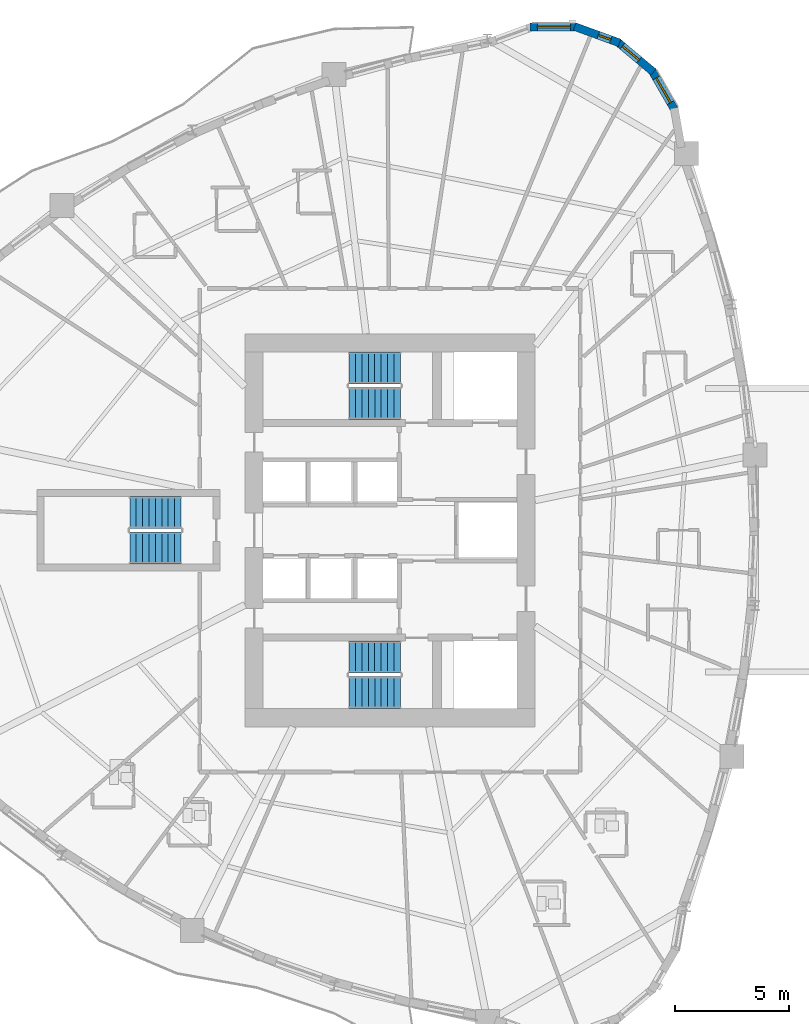
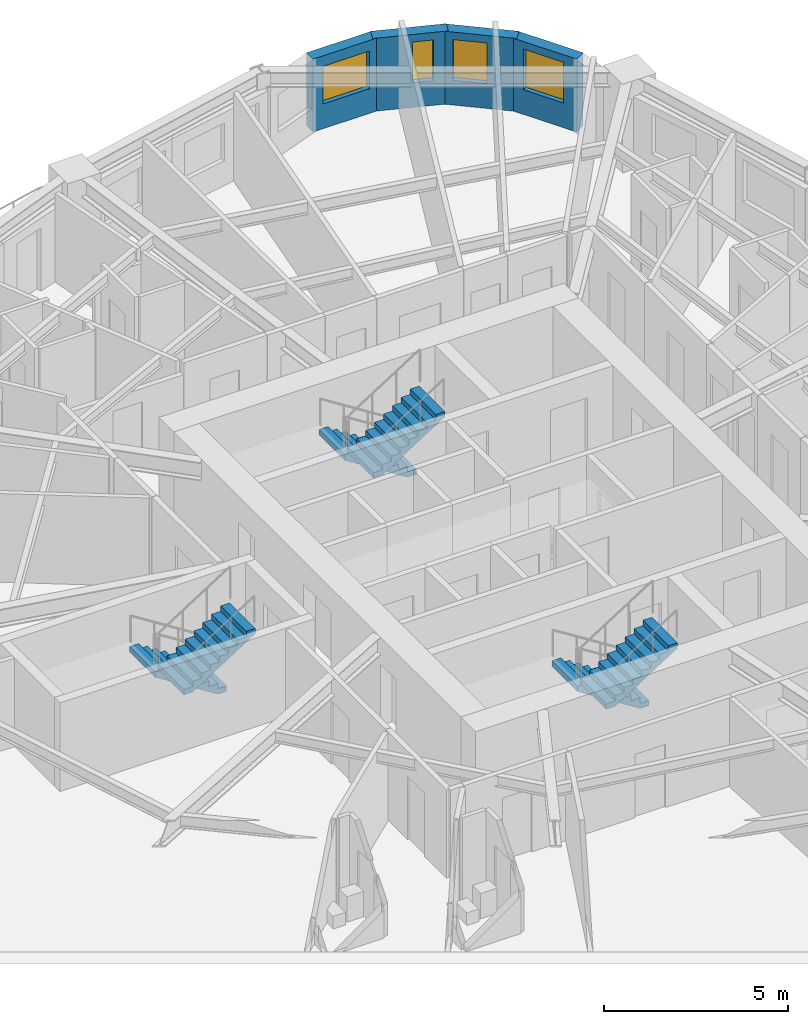
# One storey, part 10 of 15: 6 stair flights, 4 walls, 4 windows, 4 openings, 3 elements without a shape of their own.
"""IFC4 building model written with IfcOpenShell, lengths in metres."""

from ifc_helpers import new_model, si_unit, direction, frame, frame_2d, origin, place, context, subcontext, project, spatial, polyline, rectangle, outline, extrude, source, transform, mapped, material, layer, layer_set, type_object, element, fill, aggregate, save


model = new_model("IFC4")

# Units and contexts
model_context = context("Model", 3, precision=1e-05, world=origin(), true_north=direction((0.0, 1.0)))
body_context = subcontext(model_context, "Body", "Model", "MODEL_VIEW")
ifc_project = project(units=[si_unit("LENGTHUNIT", "METRE"), si_unit("AREAUNIT", "SQUARE_METRE"), si_unit("VOLUMEUNIT", "CUBIC_METRE"), si_unit("PLANEANGLEUNIT", "RADIAN"), si_unit("MASSUNIT", "GRAM", prefix="KILO")], contexts=[model_context])

# Site, building, storey
site_placement = place(None, origin())
site = spatial("IfcSite", under=ifc_project, at=site_placement, CompositionType="ELEMENT")
building_placement = place(site_placement, origin())
building = spatial("IfcBuilding", under=site, at=building_placement, Name="Qafzar Sky-Pleat Residences", CompositionType="ELEMENT")
storey_placement = place(building_placement, frame((0.0, 0.0, 36.60009765625)))
storey = spatial("IfcBuildingStorey", under=building, at=storey_placement, Name="L10", CompositionType="ELEMENT", Elevation=36.60009765625)

# Wall, opening, window
ifc_material_1 = material(Name="Precast concrete C40/50 with honed Riyadh limestone", Category="concrete")
ifc_layer = layer(ifc_material_1, 0.35009765625)
ifc_layer_set = layer_set([ifc_layer], Name="Precast concrete C40/50 with honed Riyadh limestone")
wall_type = type_object("IfcWallType", Name="WALL-EXT-350", PredefinedType="SOLIDWALL", material=ifc_layer_set)
wall_1_placement = place(storey_placement, frame((42.835205078125, 44.34814453125, 0.0), z_axis=(0.0, 0.0, 1.0), x_axis=(-0.499995423472, 0.866028046028, 0.0)))
wall_1 = element("IfcWall", 1, at=wall_1_placement, inside=storey, type_object=wall_type, Name="L10 Limestone Facade Wall 34", PredefinedType="SOLIDWALL", context=body_context, shape_type="SweptSolid", body=[
    extrude(rectangle(XDim=2.09033203125, YDim=0.35009765625, at=frame_2d((1.045166015625, 0.0))), origin(), (0.0, 0.0, 1.0), 2.419921875),
])
opening_1_placement = place(wall_1_placement, frame((0.420166015625, 0.0, 0.820068359375)))
opening_1 = element("IfcOpeningElement", 2, at=opening_1_placement, cuts=wall_1, Name="Opening WN-11", PredefinedType="OPENING", context=body_context, shape_type="SweptSolid", body=[
    extrude(rectangle(XDim=1.25, YDim=1.35009765625, at=frame_2d((0.625, 0.675048828125))), frame((0.0, 0.18505859375, 0.0), z_axis=(0.0, -1.0, 0.0), x_axis=(1.0, 0.0, 0.0)), (0.0, 0.0, 1.0), 0.3701171875),
])
ifc_material_2 = material(Name="Solar-control low-E glass in bronze aluminium frame", Category="glass")
window_type_1 = type_object("IfcWindowType", Name="WIN-11", PartitioningType="SINGLE_PANEL", PredefinedType="WINDOW", material=ifc_material_2)
shared_shape_1 = source(origin(), body_context, "Body", "SweptSolid", [
    extrude(rectangle(XDim=1.25, YDim=1.35009765625, at=frame_2d((0.625, 0.675048828125))), frame((0.0, 0.030029296875, 0.0), z_axis=(0.0, -1.0, 0.0), x_axis=(1.0, 0.0, 0.0)), (0.0, 0.0, 1.0), 0.06005859375),
])
window_1_placement = place(opening_1_placement, origin())
window_1 = element("IfcWindow", 3, at=window_1_placement, inside=storey, type_object=window_type_1, Name="L10 Punched Facade Window 34", OverallHeight=1.35009765625, OverallWidth=1.25, PartitioningType="SINGLE_PANEL", PredefinedType="WINDOW", context=body_context, shape_type="MappedRepresentation", body=[
    mapped(shared_shape_1, transform((0.0, 0.0, 0.0), x_axis=(1.0, 0.0, 0.0), y_axis=(0.0, 1.0, 0.0), z_axis=(0.0, 0.0, 1.0), scale=1.0)),
])
fill(opening_1, window_1)

wall_2_placement = place(storey_placement, frame((41.877197265625, 46.054443359375, 0.0), z_axis=(0.0, 0.0, 1.0), x_axis=(-0.766024572719, 0.642811289563, 0.0)))
wall_2 = element("IfcWall", 4, at=wall_2_placement, inside=storey, type_object=wall_type, Name="L10 Limestone Facade Wall 35", PredefinedType="SOLIDWALL", context=body_context, shape_type="SweptSolid", body=[
    extrude(rectangle(XDim=2.09033203125, YDim=0.35009765625, at=frame_2d((1.045166015625, 0.0))), origin(), (0.0, 0.0, 1.0), 2.419921875),
])
opening_2_placement = place(wall_2_placement, frame((0.82080078125, 0.0, 0.820068359375)))
opening_2 = element("IfcOpeningElement", 5, at=opening_2_placement, cuts=wall_2, Name="Opening WN-12", PredefinedType="OPENING", context=body_context, shape_type="SweptSolid", body=[
    extrude(rectangle(XDim=0.949951171875, YDim=1.35009765625, at=frame_2d((0.47509765625, 0.675048828125))), frame((0.0, 0.18505859375, 0.0), z_axis=(0.0, -1.0, 0.0), x_axis=(1.0, 0.0, 0.0)), (0.0, 0.0, 1.0), 0.3701171875),
])
window_type_2 = type_object("IfcWindowType", Name="WIN-12", PartitioningType="SINGLE_PANEL", PredefinedType="WINDOW", material=ifc_material_2)
shared_shape_2 = source(origin(), body_context, "Body", "SweptSolid", [
    extrude(rectangle(XDim=0.949951171875, YDim=1.35009765625, at=frame_2d((0.47509765625, 0.675048828125))), frame((0.0, 0.030029296875, 0.0), z_axis=(0.0, -1.0, 0.0), x_axis=(1.0, 0.0, 0.0)), (0.0, 0.0, 1.0), 0.06005859375),
])
window_2_placement = place(opening_2_placement, origin())
window_2 = element("IfcWindow", 6, at=window_2_placement, inside=storey, type_object=window_type_2, Name="L10 Punched Facade Window 35-2", OverallHeight=1.35009765625, OverallWidth=0.949951171875, PartitioningType="SINGLE_PANEL", PredefinedType="WINDOW", context=body_context, shape_type="MappedRepresentation", body=[
    mapped(shared_shape_2, transform((0.0, 0.0, 0.0), x_axis=(1.0, 0.0, 0.0), y_axis=(0.0, 1.0, 0.0), z_axis=(0.0, 0.0, 1.0), scale=1.0)),
])
fill(opening_2, window_2)

wall_3_placement = place(storey_placement, frame((40.393310546875, 47.330322265625, 0.0), z_axis=(0.0, 0.0, 1.0), x_axis=(-0.939660353162, 0.342108784886, 0.0)))
wall_3 = element("IfcWall", 7, at=wall_3_placement, inside=storey, type_object=wall_type, Name="L10 Limestone Facade Wall 36", PredefinedType="SOLIDWALL", context=body_context, shape_type="SweptSolid", body=[
    extrude(rectangle(XDim=2.09033203125, YDim=0.35009765625, at=frame_2d((1.045166015625, 0.0))), origin(), (0.0, 0.0, 1.0), 2.419921875),
])
opening_3_placement = place(wall_3_placement, frame((0.40869140625, 0.0, 0.820068359375)))
opening_3 = element("IfcOpeningElement", 8, at=opening_3_placement, cuts=wall_3, Name="Opening WN-17", PredefinedType="OPENING", context=body_context, shape_type="SweptSolid", body=[
    extrude(rectangle(XDim=0.580078125, YDim=1.35009765625, at=frame_2d((0.2900390625, 0.675048828125))), frame((0.0, 0.18505859375, 0.0), z_axis=(0.0, -1.0, 0.0), x_axis=(1.0, 0.0, 0.0)), (0.0, 0.0, 1.0), 0.3701171875),
])
window_type_3 = type_object("IfcWindowType", Name="WIN-17", PartitioningType="SINGLE_PANEL", PredefinedType="WINDOW", material=ifc_material_2)
shared_shape_3 = source(origin(), body_context, "Body", "SweptSolid", [
    extrude(rectangle(XDim=0.580078125, YDim=1.35009765625, at=frame_2d((0.2900390625, 0.675048828125))), frame((0.0, 0.030029296875, 0.0), z_axis=(0.0, -1.0, 0.0), x_axis=(1.0, 0.0, 0.0)), (0.0, 0.0, 1.0), 0.06005859375),
])
window_3_placement = place(opening_3_placement, origin())
window_3 = element("IfcWindow", 9, at=window_3_placement, inside=storey, type_object=window_type_3, Name="L10 Punched Facade Window 36", OverallHeight=1.35009765625, OverallWidth=0.580078125, PartitioningType="SINGLE_PANEL", PredefinedType="WINDOW", context=body_context, shape_type="MappedRepresentation", body=[
    mapped(shared_shape_3, transform((0.0, 0.0, 0.0), x_axis=(1.0, 0.0, 0.0), y_axis=(0.0, 1.0, 0.0), z_axis=(0.0, 0.0, 1.0), scale=1.0)),
])
fill(opening_3, window_3)

wall_4_placement = place(storey_placement, frame((38.562744140625, 48.021728515625, 0.0), z_axis=(0.0, 0.0, 1.0), x_axis=(-1.0, 0.0, 0.0)))
wall_4 = element("IfcWall", 10, at=wall_4_placement, inside=storey, type_object=wall_type, Name="L10 Limestone Facade Wall 37", PredefinedType="SOLIDWALL", context=body_context, shape_type="SweptSolid", body=[
    extrude(rectangle(XDim=2.09033203125, YDim=0.35009765625, at=frame_2d((1.045166015625, 0.0))), origin(), (0.0, 0.0, 1.0), 2.419921875),
])
opening_4_placement = place(wall_4_placement, frame((0.3203125, 0.0, 0.820068359375)))
opening_4 = element("IfcOpeningElement", 11, at=opening_4_placement, cuts=wall_4, Name="Opening WN-15", PredefinedType="OPENING", context=body_context, shape_type="SweptSolid", body=[
    extrude(rectangle(XDim=1.449951171875, YDim=1.25, at=frame_2d((0.72509765625, 0.625))), frame((0.0, 0.18505859375, 0.0), z_axis=(0.0, -1.0, 0.0), x_axis=(1.0, 0.0, 0.0)), (0.0, 0.0, 1.0), 0.3701171875),
])
window_type_4 = type_object("IfcWindowType", Name="WIN-15", PartitioningType="SINGLE_PANEL", PredefinedType="WINDOW", material=ifc_material_2)
shared_shape_4 = source(origin(), body_context, "Body", "SweptSolid", [
    extrude(rectangle(XDim=1.449951171875, YDim=1.25, at=frame_2d((0.72509765625, 0.625))), frame((0.0, 0.030029296875, 0.0), z_axis=(0.0, -1.0, 0.0), x_axis=(1.0, 0.0, 0.0)), (0.0, 0.0, 1.0), 0.06005859375),
])
window_4_placement = place(opening_4_placement, origin())
window_4 = element("IfcWindow", 12, at=window_4_placement, inside=storey, type_object=window_type_4, Name="L10 Punched Facade Window 37", OverallHeight=1.25, OverallWidth=1.449951171875, PartitioningType="SINGLE_PANEL", PredefinedType="WINDOW", context=body_context, shape_type="MappedRepresentation", body=[
    mapped(shared_shape_4, transform((0.0, 0.0, 0.0), x_axis=(1.0, 0.0, 0.0), y_axis=(0.0, 1.0, 0.0), z_axis=(0.0, 0.0, 1.0), scale=1.0)),
])
fill(opening_4, window_4)

# Stair, stair flights
ifc_material_3 = material(Name="Concrete C40/50", Category="concrete")
stair_type = type_object("IfcStairType", Name="STAIR-H320", PredefinedType="HALF_TURN_STAIR", material=ifc_material_3)
stair_1_placement = place(storey_placement, origin())
stair_1 = element("IfcStair", 13, at=stair_1_placement, inside=storey, type_object=stair_type, Name="L10 Protected Exit Stair ST1", PredefinedType="HALF_TURN_STAIR")
stair_flight_type = type_object("IfcStairFlightType", Name="FLIGHT-H320", PredefinedType="STRAIGHT", material=ifc_material_3)
shared_shape_5 = source(origin(), body_context, "Body", "SweptSolid", [
    extrude(outline(polyline([(0.0, 0.0), (0.0, 0.177734375), (0.280029296875, 0.177734375), (0.280029296875, 0.35546875), (0.56005859375, 0.35546875), (0.56005859375, 0.533447265625), (0.840087890625, 0.533447265625), (0.840087890625, 0.711181640625), (1.1201171875, 0.711181640625), (1.1201171875, 0.888916015625), (1.39990234375, 0.888916015625), (1.39990234375, 1.066650390625), (1.679931640625, 1.066650390625), (1.679931640625, 1.244384765625), (1.9599609375, 1.244384765625), (1.9599609375, 1.422119140625), (2.239990234375, 1.422119140625), (2.239990234375, 1.60009765625), (2.239990234375, 1.24462890625), (0.27978515625, 0.0), (0.0, 0.0)])), frame((0.0, 0.699951171875, 0.0), z_axis=(0.0, -1.0, 0.0), x_axis=(1.0, 0.0, 0.0)), (0.0, 0.0, 1.0), 1.39990234375),
])
stair_flight_1_placement = place(storey_placement, frame((30.800048828125, 20.449951171875, 0.0), z_axis=(0.0, 0.0, 1.0), x_axis=(-1.0, 0.0, 0.0)))
stair_flight_1 = element("IfcStairFlight", 14, at=stair_flight_1_placement, type_object=stair_flight_type, Name="ST1 flight 1", NumberOfRisers=9, NumberOfTreads=8, PredefinedType="STRAIGHT", RiserHeight=0.177777778, TreadLength=0.28, context=body_context, shape_type="MappedRepresentation", body=[
    mapped(shared_shape_5, transform((0.0, 0.0, 0.0), x_axis=(1.0, 0.0, 0.0), y_axis=(0.0, 1.0, 0.0), z_axis=(0.0, 0.0, 1.0), scale=1.0)),
])
stair_flight_2_placement = place(storey_placement, frame((28.56005859375, 18.89990234375, 1.599853515625), z_axis=(0.0, 0.0, 1.0), x_axis=(1.0, 0.0, 0.0)))
stair_flight_2 = element("IfcStairFlight", 15, at=stair_flight_2_placement, type_object=stair_flight_type, Name="ST1 flight 2", NumberOfRisers=9, NumberOfTreads=8, PredefinedType="STRAIGHT", RiserHeight=0.177777778, TreadLength=0.28, context=body_context, shape_type="MappedRepresentation", body=[
    mapped(shared_shape_5, transform((0.0, 0.0, 0.0), x_axis=(1.0, 0.0, 0.0), y_axis=(0.0, 1.0, 0.0), z_axis=(0.0, 0.0, 1.0), scale=1.0)),
])
aggregate(stair_1, [stair_flight_1, stair_flight_2])

stair_2_placement = place(storey_placement, origin())
stair_2 = element("IfcStair", 16, at=stair_2_placement, inside=storey, type_object=stair_type, Name="L10 Protected Exit Stair ST2", PredefinedType="HALF_TURN_STAIR")
stair_flight_3_placement = place(storey_placement, frame((30.800048828125, 33.10009765625, 0.0), z_axis=(0.0, 0.0, 1.0), x_axis=(-1.0, 0.0, 0.0)))
stair_flight_3 = element("IfcStairFlight", 17, at=stair_flight_3_placement, type_object=stair_flight_type, Name="ST2 flight 1", NumberOfRisers=9, NumberOfTreads=8, PredefinedType="STRAIGHT", RiserHeight=0.177777778, TreadLength=0.28, context=body_context, shape_type="MappedRepresentation", body=[
    mapped(shared_shape_5, transform((0.0, 0.0, 0.0), x_axis=(1.0, 0.0, 0.0), y_axis=(0.0, 1.0, 0.0), z_axis=(0.0, 0.0, 1.0), scale=1.0)),
])
stair_flight_4_placement = place(storey_placement, frame((28.56005859375, 31.550048828125, 1.599853515625), z_axis=(0.0, 0.0, 1.0), x_axis=(1.0, 0.0, 0.0)))
stair_flight_4 = element("IfcStairFlight", 18, at=stair_flight_4_placement, type_object=stair_flight_type, Name="ST2 flight 2", NumberOfRisers=9, NumberOfTreads=8, PredefinedType="STRAIGHT", RiserHeight=0.177777778, TreadLength=0.28, context=body_context, shape_type="MappedRepresentation", body=[
    mapped(shared_shape_5, transform((0.0, 0.0, 0.0), x_axis=(1.0, 0.0, 0.0), y_axis=(0.0, 1.0, 0.0), z_axis=(0.0, 0.0, 1.0), scale=1.0)),
])
aggregate(stair_2, [stair_flight_3, stair_flight_4])

stair_3_placement = place(storey_placement, origin())
stair_3 = element("IfcStair", 19, at=stair_3_placement, inside=storey, type_object=stair_type, Name="L10 Protected Exit Stair ST3", PredefinedType="HALF_TURN_STAIR")
stair_flight_5_placement = place(storey_placement, frame((21.199951171875, 26.77490234375, 0.0), z_axis=(0.0, 0.0, 1.0), x_axis=(-1.0, 0.0, 0.0)))
stair_flight_5 = element("IfcStairFlight", 20, at=stair_flight_5_placement, type_object=stair_flight_type, Name="ST3 flight 1", NumberOfRisers=9, NumberOfTreads=8, PredefinedType="STRAIGHT", RiserHeight=0.177777778, TreadLength=0.28, context=body_context, shape_type="MappedRepresentation", body=[
    mapped(shared_shape_5, transform((0.0, 0.0, 0.0), x_axis=(1.0, 0.0, 0.0), y_axis=(0.0, 1.0, 0.0), z_axis=(0.0, 0.0, 1.0), scale=1.0)),
])
stair_flight_6_placement = place(storey_placement, frame((18.9599609375, 25.22509765625, 1.599853515625), z_axis=(0.0, 0.0, 1.0), x_axis=(1.0, 0.0, 0.0)))
stair_flight_6 = element("IfcStairFlight", 21, at=stair_flight_6_placement, type_object=stair_flight_type, Name="ST3 flight 2", NumberOfRisers=9, NumberOfTreads=8, PredefinedType="STRAIGHT", RiserHeight=0.177777778, TreadLength=0.28, context=body_context, shape_type="MappedRepresentation", body=[
    mapped(shared_shape_5, transform((0.0, 0.0, 0.0), x_axis=(1.0, 0.0, 0.0), y_axis=(0.0, 1.0, 0.0), z_axis=(0.0, 0.0, 1.0), scale=1.0)),
])
aggregate(stair_3, [stair_flight_5, stair_flight_6])

save(model, "model.ifc")
